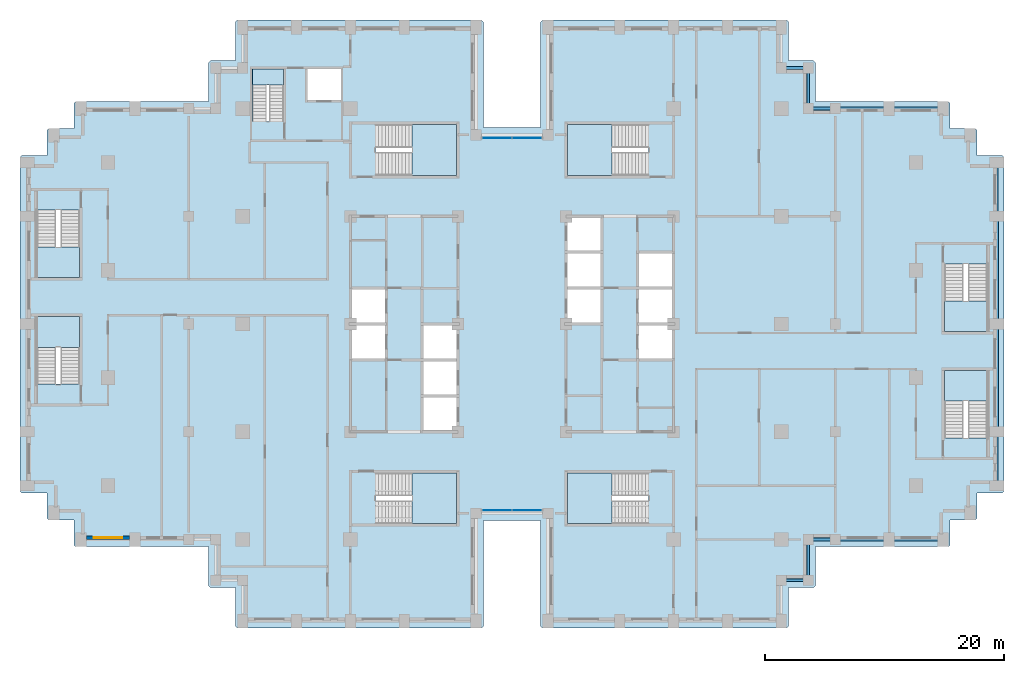
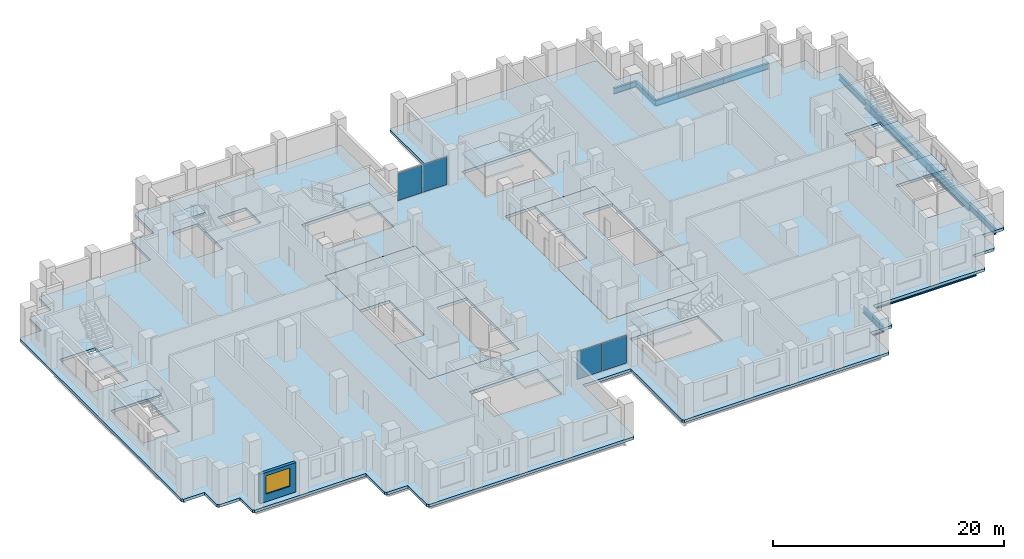
# One storey, part 5 of 16: 14 beams, 12 slabs, 4 plates, 1 wall, 1 window, 1 opening, 11 elements without a shape of their own.
"""IFC4 building model written with IfcOpenShell, lengths in metres."""

from ifc_helpers import new_model, si_unit, direction, frame, frame_2d, origin, origin_2d, place, context, subcontext, project, spatial, polyline, rectangle, i_section, outline, extrude, material, layer, layer_set, material_profile, profile_set, type_object, element, fill, aggregate, save


model = new_model("IFC4")

# Units and contexts
model_context = context("Model", 3, precision=1e-05, world=origin(), true_north=direction((0.0, 1.0)))
body_context = subcontext(model_context, "Body", "Model", "MODEL_VIEW")
ifc_project = project(units=[si_unit("LENGTHUNIT", "METRE"), si_unit("AREAUNIT", "SQUARE_METRE"), si_unit("VOLUMEUNIT", "CUBIC_METRE"), si_unit("PLANEANGLEUNIT", "RADIAN"), si_unit("MASSUNIT", "GRAM", prefix="KILO")], contexts=[model_context])

# Site, building, storey
site_placement = place(None, origin())
site = spatial("IfcSite", under=ifc_project, at=site_placement, CompositionType="ELEMENT")
building_placement = place(site_placement, origin())
building = spatial("IfcBuilding", under=site, at=building_placement, Name="Corbelhall Arena Tower", CompositionType="ELEMENT")
storey_placement = place(building_placement, frame((0.0, 0.0, 108.0)))
storey = spatial("IfcBuildingStorey", under=building, at=storey_placement, Name="L19", CompositionType="ELEMENT", Elevation=108.0)

# Beams
ifc_material_1 = material(Name="Steel ASTM A992 Gr50", Category="steel")
ifc_material_profile_1 = material_profile(ifc_material_1, i_section(OverallWidth=0.23046875, OverallDepth=0.6171875, WebThickness=0.01318359375, FlangeThickness=0.022216796875, at=origin_2d()))
ifc_profile_set_1 = profile_set([ifc_material_profile_1], Name="Steel ASTM A992 Gr50")
beam_type_1 = type_object("IfcBeamType", Name="ST-SPANDREL-W24x94", PredefinedType="SPANDREL", material=ifc_profile_set_1)
for number, where, z_axis, x_axis, name in (
    (1, (40.5, 13.5, -0.608642578125), (0.0, -1.0, 0.0), (1.0, 0.0, 0.0), "Beam SP 10"),
    (2, (40.5, -9.0, -0.608642578125), (0.0, -1.0, 0.0), (1.0, 0.0, 0.0), "Beam SP 11"),
    (3, (31.5, 18.0, -0.608642578125), (1.0, 0.0, 0.0), (0.0, 1.0, 0.0), "Beam SP 12"),
    (4, (31.5, -18.0, -0.608642578125), (-1.0, 0.0, 0.0), (0.0, -1.0, 0.0), "Beam SP 13"),
    (5, (36.0, -18.0, -0.608642578125), (-1.0, 0.0, 0.0), (0.0, -1.0, 0.0), "Beam SP 14"),
    (6, (27.0, 18.0, -0.608642578125), (1.0, 0.0, 0.0), (0.0, 1.0, 0.0), "Beam SP 15"),
):
    element("IfcBeam", number, at=place(storey_placement, frame(where, z_axis=z_axis, x_axis=x_axis)), inside=storey, type_object=beam_type_1, Name=name, PredefinedType="SPANDREL", context=body_context, shape_type="SweptSolid", body=[
        extrude(i_section(OverallWidth=0.23046875, OverallDepth=0.6171875, WebThickness=0.01318359375, FlangeThickness=0.022216796875, at=origin_2d()), origin(), (0.0, 0.0, 1.0), 4.5),
    ])
for number, where, z_axis, x_axis, name in (
    (7, (27.0, -18.0, -0.608642578125), (-1.0, 0.0, 0.0), (0.0, -1.0, 0.0), "Beam SP 16"),
    (8, (22.5, 21.39990234375, -0.608642578125), (1.0, 0.0, 0.0), (0.0, 1.0, 0.0), "Beam SP 43"),
):
    element("IfcBeam", number, at=place(storey_placement, frame(where, z_axis=z_axis, x_axis=x_axis)), inside=storey, type_object=beam_type_1, Name=name, PredefinedType="SPANDREL", context=body_context, shape_type="SweptSolid", body=[
        extrude(i_section(OverallWidth=0.23046875, OverallDepth=0.6171875, WebThickness=0.01318359375, FlangeThickness=0.022216796875, at=origin_2d()), origin(), (0.0, 0.0, 1.0), 2.25),
    ])
beam_1_placement = place(storey_placement, frame((24.75, 21.39990234375, -0.608642578125), z_axis=(0.0, -1.0, 0.0), x_axis=(1.0, 0.0, 0.0)))
element("IfcBeam", 9, at=beam_1_placement, inside=storey, type_object=beam_type_1, Name="Beam SP 44", PredefinedType="SPANDREL", context=body_context, shape_type="SweptSolid", body=[
    extrude(i_section(OverallWidth=0.23046875, OverallDepth=0.6171875, WebThickness=0.01318359375, FlangeThickness=0.022216796875, at=origin_2d()), origin(), (0.0, 0.0, 1.0), 3.39990234375),
])
for number, where, z_axis, x_axis, name in (
    (10, (24.75, 18.0, -0.608642578125), (1.0, 0.0, 0.0), (0.0, 1.0, 0.0), "Beam SP 45"),
    (11, (24.75, -21.39990234375, -0.608642578125), (-1.0, 0.0, 0.0), (0.0, -1.0, 0.0), "Beam SP 50"),
):
    element("IfcBeam", number, at=place(storey_placement, frame(where, z_axis=z_axis, x_axis=x_axis)), inside=storey, type_object=beam_type_1, Name=name, PredefinedType="SPANDREL", context=body_context, shape_type="SweptSolid", body=[
        extrude(i_section(OverallWidth=0.23046875, OverallDepth=0.6171875, WebThickness=0.01318359375, FlangeThickness=0.022216796875, at=origin_2d()), origin(), (0.0, 0.0, 1.0), 2.25),
    ])
beam_2_placement = place(storey_placement, frame((24.75, -18.0, -0.608642578125), z_axis=(0.0, -1.0, 0.0), x_axis=(1.0, 0.0, 0.0)))
element("IfcBeam", 12, at=beam_2_placement, inside=storey, type_object=beam_type_1, Name="Beam SP 51", PredefinedType="SPANDREL", context=body_context, shape_type="SweptSolid", body=[
    extrude(i_section(OverallWidth=0.23046875, OverallDepth=0.6171875, WebThickness=0.01318359375, FlangeThickness=0.022216796875, at=origin_2d()), origin(), (0.0, 0.0, 1.0), 3.39990234375),
])
ifc_material_profile_2 = material_profile(ifc_material_1, i_section(OverallWidth=0.2919921875, OverallDepth=0.845703125, WebThickness=0.015380859375, FlangeThickness=0.0244140625, at=origin_2d()))
ifc_profile_set_2 = profile_set([ifc_material_profile_2], Name="Steel ASTM A992 Gr50")
beam_type_2 = type_object("IfcBeamType", Name="ST-SPANDREL-W33x141", PredefinedType="SPANDREL", material=ifc_profile_set_2)
for number, where, z_axis, x_axis, name in (
    (13, (40.5, 0.0, -0.722900390625), (0.0, -1.0, 0.0), (1.0, 0.0, 0.0), "Beam SP 8"),
    (14, (40.5, 9.0, -0.722900390625), (0.0, -1.0, 0.0), (1.0, 0.0, 0.0), "Beam SP 9"),
):
    element("IfcBeam", number, at=place(storey_placement, frame(where, z_axis=z_axis, x_axis=x_axis)), inside=storey, type_object=beam_type_2, Name=name, PredefinedType="SPANDREL", context=body_context, shape_type="SweptSolid", body=[
        extrude(i_section(OverallWidth=0.2919921875, OverallDepth=0.845703125, WebThickness=0.015380859375, FlangeThickness=0.0244140625, at=origin_2d()), origin(), (0.0, 0.0, 1.0), 9.0),
    ])

# Curtain wall, plates
ifc_material_2 = material(Name="Aluminium black anodised", Category="aluminium")
ifc_layer_1 = layer(ifc_material_2, 0.199951171875)
ifc_layer_set_1 = layer_set([ifc_layer_1], Name="EV-CW1 Slot back wall")
curtain_wall_type = type_object("IfcCurtainWallType", Name="EV-CW1 Slot back wall", PredefinedType="NOTDEFINED", material=ifc_layer_set_1)
curtain_wall_1_placement = place(storey_placement, origin())
curtain_wall_1 = element("IfcCurtainWall", 15, at=curtain_wall_1_placement, inside=storey, type_object=curtain_wall_type, Name="Curtain wall CW1", PredefinedType="NOTDEFINED")
ifc_material_3 = material(Name="Glass dark tinted laminated", Category="glass")
ifc_layer_2 = layer(ifc_material_3, 0.028076171875)
ifc_layer_set_2 = layer_set([ifc_layer_2], Name="EV-CW1-PANEL")
plate_type = type_object("IfcPlateType", Name="EV-CW1-PANEL", PredefinedType="CURTAIN_PANEL", material=ifc_layer_set_2)
plate_1_placement = place(storey_placement, frame((-1.25634765625, -15.550048828125, 0.0751953125), z_axis=(0.0, 0.0, 1.0), x_axis=(1.0, 0.0, 0.0)))
plate_1 = element("IfcPlate", 16, at=plate_1_placement, type_object=plate_type, Name="CW1 panel 1.1", PredefinedType="CURTAIN_PANEL", context=body_context, shape_type="SweptSolid", body=[
    extrude(rectangle(XDim=2.4375, YDim=0.028076171875, at=origin_2d()), origin(), (0.0, 0.0, 1.0), 2.949951171875),
])
plate_2_placement = place(storey_placement, frame((1.25634765625, -15.550048828125, 0.0751953125), z_axis=(0.0, 0.0, 1.0), x_axis=(1.0, 0.0, 0.0)))
plate_2 = element("IfcPlate", 17, at=plate_2_placement, type_object=plate_type, Name="CW1 panel 2.1", PredefinedType="CURTAIN_PANEL", context=body_context, shape_type="SweptSolid", body=[
    extrude(rectangle(XDim=2.4375, YDim=0.028076171875, at=origin_2d()), origin(), (0.0, 0.0, 1.0), 2.949951171875),
])
aggregate(curtain_wall_1, [plate_1, plate_2])

curtain_wall_2_placement = place(storey_placement, origin())
curtain_wall_2 = element("IfcCurtainWall", 18, at=curtain_wall_2_placement, inside=storey, type_object=curtain_wall_type, Name="Curtain wall CW1", PredefinedType="NOTDEFINED")
plate_3_placement = place(storey_placement, frame((1.25634765625, 15.550048828125, 0.0751953125), z_axis=(0.0, 0.0, 1.0), x_axis=(-1.0, 0.0, 0.0)))
plate_3 = element("IfcPlate", 19, at=plate_3_placement, type_object=plate_type, Name="CW1 panel 1.1", PredefinedType="CURTAIN_PANEL", context=body_context, shape_type="SweptSolid", body=[
    extrude(rectangle(XDim=2.4375, YDim=0.028076171875, at=origin_2d()), origin(), (0.0, 0.0, 1.0), 2.949951171875),
])
plate_4_placement = place(storey_placement, frame((-1.25634765625, 15.550048828125, 0.0751953125), z_axis=(0.0, 0.0, 1.0), x_axis=(-1.0, 0.0, 0.0)))
plate_4 = element("IfcPlate", 20, at=plate_4_placement, type_object=plate_type, Name="CW1 panel 2.1", PredefinedType="CURTAIN_PANEL", context=body_context, shape_type="SweptSolid", body=[
    extrude(rectangle(XDim=2.4375, YDim=0.028076171875, at=origin_2d()), origin(), (0.0, 0.0, 1.0), 2.949951171875),
])
aggregate(curtain_wall_2, [plate_3, plate_4])

# Slabs
ifc_material_4 = material(Name="Concrete C40/50", Category="concrete")
ifc_layer_3 = layer(ifc_material_4, 0.300048828125)
ifc_layer_set_3 = layer_set([ifc_layer_3], Name="IN-SL-CORE")
slab_type_1 = type_object("IfcSlabType", Name="IN-SL-CORE", PredefinedType="FLOOR", material=ifc_layer_set_3)
slab_1_placement = place(storey_placement, frame((0.0, 0.0, -0.300048828125)))
element("IfcSlab", 21, at=slab_1_placement, inside=storey, type_object=slab_type_1, Name="Core floor W", PredefinedType="FLOOR", context=body_context, shape_type="SweptSolid", body=[
    extrude(outline(polyline([(-7.5, 0.0), (-4.5, 0.0), (-4.5, 9.0), (-13.5, 9.0), (-13.5, 3.0), (-10.5, 3.0), (-10.5, 0.0), (-10.5, -3.0), (-13.5, -3.0), (-13.5, -9.0), (-7.5, -9.0), (-7.5, -6.0), (-7.5, -3.0), (-7.5, 0.0)])), origin(), (0.0, 0.0, 1.0), 0.300048828125),
])
slab_2_placement = place(storey_placement, frame((0.0, 0.0, -0.300048828125)))
element("IfcSlab", 22, at=slab_2_placement, inside=storey, type_object=slab_type_1, Name="Core floor E", PredefinedType="FLOOR", context=body_context, shape_type="SweptSolid", body=[
    extrude(outline(polyline([(7.5, 0.0), (4.5, 0.0), (4.5, -9.0), (13.5, -9.0), (13.5, -3.0), (10.5, -3.0), (10.5, 0.0), (10.5, 3.0), (10.5, 6.0), (13.5, 6.0), (13.5, 9.0), (7.5, 9.0), (7.5, 6.0), (7.5, 3.0), (7.5, 0.0)])), origin(), (0.0, 0.0, 1.0), 0.300048828125),
])

# Stair, slab
stair_type = type_object("IfcStairType", Name="IN-ST-TOWER", PredefinedType="HALF_TURN_STAIR", material=ifc_material_4)
stair_1_placement = place(storey_placement, origin())
stair_1 = element("IfcStair", 23, at=stair_1_placement, inside=storey, type_object=stair_type, Name="L19 Exit stair ST1", PredefinedType="HALF_TURN_STAIR")
ifc_layer_4 = layer(ifc_material_4, 0.199951171875)
ifc_layer_set_4 = layer_set([ifc_layer_4], Name="IN-SL-LANDING")
slab_type_2 = type_object("IfcSlabType", Name="IN-SL-LANDING", PredefinedType="LANDING", material=ifc_layer_set_4)
slab_3_placement = place(storey_placement, frame((0.0, 0.0, 1.800048828125)))
slab_3 = element("IfcSlab", 24, at=slab_3_placement, type_object=slab_type_2, Name="ST1 landing 1", PredefinedType="LANDING", context=body_context, shape_type="SweptSolid", body=[
    extrude(outline(polyline([(-8.344970703125, 12.425048828125), (-4.625, 12.425048828125), (-4.625, 16.675048828125), (-8.344970703125, 16.675048828125), (-8.344970703125, 12.425048828125)])), origin(), (0.0, 0.0, 1.0), 0.199951171875),
])
aggregate(stair_1, [slab_3])

stair_2_placement = place(storey_placement, origin())
stair_2 = element("IfcStair", 25, at=stair_2_placement, inside=storey, type_object=stair_type, Name="L19 Exit stair ST2", PredefinedType="HALF_TURN_STAIR")
slab_4_placement = place(storey_placement, frame((0.0, 0.0, 1.800048828125)))
slab_4 = element("IfcSlab", 26, at=slab_4_placement, type_object=slab_type_2, Name="ST2 landing 1", PredefinedType="LANDING", context=body_context, shape_type="SweptSolid", body=[
    extrude(outline(polyline([(-8.344970703125, -16.675048828125), (-4.625, -16.675048828125), (-4.625, -12.425048828125), (-8.344970703125, -12.425048828125), (-8.344970703125, -16.675048828125)])), origin(), (0.0, 0.0, 1.0), 0.199951171875),
])
aggregate(stair_2, [slab_4])

stair_3_placement = place(storey_placement, origin())
stair_3 = element("IfcStair", 27, at=stair_3_placement, inside=storey, type_object=stair_type, Name="L19 Exit stair ST3", PredefinedType="HALF_TURN_STAIR")
slab_5_placement = place(storey_placement, frame((0.0, 0.0, 1.800048828125)))
slab_5 = element("IfcSlab", 28, at=slab_5_placement, type_object=slab_type_2, Name="ST3 landing 1", PredefinedType="LANDING", context=body_context, shape_type="SweptSolid", body=[
    extrude(outline(polyline([(8.344970703125, 16.675048828125), (4.625, 16.675048828125), (4.625, 12.425048828125), (8.344970703125, 12.425048828125), (8.344970703125, 16.675048828125)])), origin(), (0.0, 0.0, 1.0), 0.199951171875),
])
aggregate(stair_3, [slab_5])

stair_4_placement = place(storey_placement, origin())
stair_4 = element("IfcStair", 29, at=stair_4_placement, inside=storey, type_object=stair_type, Name="L19 Exit stair ST4", PredefinedType="HALF_TURN_STAIR")
slab_6_placement = place(storey_placement, frame((0.0, 0.0, 1.800048828125)))
slab_6 = element("IfcSlab", 30, at=slab_6_placement, type_object=slab_type_2, Name="ST4 landing 1", PredefinedType="LANDING", context=body_context, shape_type="SweptSolid", body=[
    extrude(outline(polyline([(8.344970703125, -12.425048828125), (4.625, -12.425048828125), (4.625, -16.675048828125), (8.344970703125, -16.675048828125), (8.344970703125, -12.425048828125)])), origin(), (0.0, 0.0, 1.0), 0.199951171875),
])
aggregate(stair_4, [slab_6])

stair_5_placement = place(storey_placement, origin())
stair_5 = element("IfcStair", 31, at=stair_5_placement, inside=storey, type_object=stair_type, Name="L19 Exit stair SC1", PredefinedType="HALF_TURN_STAIR")
slab_7_placement = place(storey_placement, frame((0.0, 0.0, 1.800048828125)))
slab_7 = element("IfcSlab", 32, at=slab_7_placement, type_object=slab_type_2, Name="SC1 landing 1", PredefinedType="LANDING", context=body_context, shape_type="SweptSolid", body=[
    extrude(outline(polyline([(-39.699951171875, 6.445068359375), (-39.699951171875, 3.875), (-36.125, 3.875), (-36.125, 6.445068359375), (-39.699951171875, 6.445068359375)])), origin(), (0.0, 0.0, 1.0), 0.199951171875),
])
aggregate(stair_5, [slab_7])

stair_6_placement = place(storey_placement, origin())
stair_6 = element("IfcStair", 33, at=stair_6_placement, inside=storey, type_object=stair_type, Name="L19 Exit stair SC2", PredefinedType="HALF_TURN_STAIR")
slab_8_placement = place(storey_placement, frame((0.0, 0.0, 1.800048828125)))
slab_8 = element("IfcSlab", 34, at=slab_8_placement, type_object=slab_type_2, Name="SC2 landing 1", PredefinedType="LANDING", context=body_context, shape_type="SweptSolid", body=[
    extrude(outline(polyline([(-36.125, -1.945068359375), (-36.125, 0.625), (-39.699951171875, 0.625), (-39.699951171875, -1.945068359375), (-36.125, -1.945068359375)])), origin(), (0.0, 0.0, 1.0), 0.199951171875),
])
aggregate(stair_6, [slab_8])

stair_7_placement = place(storey_placement, origin())
stair_7 = element("IfcStair", 35, at=stair_7_placement, inside=storey, type_object=stair_type, Name="L19 Exit stair SD1", PredefinedType="HALF_TURN_STAIR")
slab_9_placement = place(storey_placement, frame((0.0, 0.0, 1.800048828125)))
slab_9 = element("IfcSlab", 36, at=slab_9_placement, type_object=slab_type_2, Name="SD1 landing 1", PredefinedType="LANDING", context=body_context, shape_type="SweptSolid", body=[
    extrude(outline(polyline([(39.699951171875, -6.445068359375), (39.699951171875, -3.875), (36.125, -3.875), (36.125, -6.445068359375), (39.699951171875, -6.445068359375)])), origin(), (0.0, 0.0, 1.0), 0.199951171875),
])
aggregate(stair_7, [slab_9])

stair_8_placement = place(storey_placement, origin())
stair_8 = element("IfcStair", 37, at=stair_8_placement, inside=storey, type_object=stair_type, Name="L19 Exit stair SD2", PredefinedType="HALF_TURN_STAIR")
slab_10_placement = place(storey_placement, frame((0.0, 0.0, 1.800048828125)))
slab_10 = element("IfcSlab", 38, at=slab_10_placement, type_object=slab_type_2, Name="SD2 landing 1", PredefinedType="LANDING", context=body_context, shape_type="SweptSolid", body=[
    extrude(outline(polyline([(36.125, 1.945068359375), (36.125, -0.625), (39.699951171875, -0.625), (39.699951171875, 1.945068359375), (36.125, 1.945068359375)])), origin(), (0.0, 0.0, 1.0), 0.199951171875),
])
aggregate(stair_8, [slab_10])

stair_9_placement = place(storey_placement, origin())
stair_9 = element("IfcStair", 39, at=stair_9_placement, inside=storey, type_object=stair_type, Name="L19 Exit stair ST5", PredefinedType="HALF_TURN_STAIR")
slab_11_placement = place(storey_placement, frame((0.0, 0.0, 1.800048828125)))
slab_11 = element("IfcSlab", 40, at=slab_11_placement, type_object=slab_type_2, Name="ST5 landing 1", PredefinedType="LANDING", context=body_context, shape_type="SweptSolid", body=[
    extrude(outline(polyline([(-19.094970703125, 19.97998046875), (-19.094970703125, 21.300048828125), (-21.695068359375, 21.300048828125), (-21.695068359375, 19.97998046875), (-19.094970703125, 19.97998046875)])), origin(), (0.0, 0.0, 1.0), 0.199951171875),
])
aggregate(stair_9, [slab_11])

# Slab
ifc_layer_5 = layer(ifc_material_4, 0.300048828125)
ifc_layer_set_5 = layer_set([ifc_layer_5], Name="ST-SLAB-FLOOR-300")
slab_type_3 = type_object("IfcSlabType", Name="ST-SLAB-FLOOR-300", PredefinedType="FLOOR", material=ifc_layer_set_5)
slab_12_placement = place(storey_placement, frame((0.0, 0.0, -0.300048828125)))
element("IfcSlab", 41, at=slab_12_placement, inside=storey, type_object=slab_type_3, Name="Floor slab L19 1", PredefinedType="FLOOR", context=body_context, shape_type="SweptSolid", body=[
    extrude(outline(polyline([(25.35009765625, 18.60009765625), (25.35009765625, 21.85009765625), (25.199951171875, 22.0), (23.10009765625, 22.0), (23.10009765625, 25.25), (22.949951171875, 25.39990234375), (2.550048828125, 25.39990234375), (2.39990234375, 25.25), (2.39990234375, 16.39990234375), (-2.39990234375, 16.39990234375), (-2.39990234375, 25.25), (-2.550048828125, 25.39990234375), (-22.949951171875, 25.39990234375), (-23.10009765625, 25.25), (-23.10009765625, 22.0), (-25.199951171875, 22.0), (-25.35009765625, 21.85009765625), (-25.35009765625, 18.60009765625), (-36.449951171875, 18.60009765625), (-36.60009765625, 18.449951171875), (-36.60009765625, 16.35009765625), (-38.699951171875, 16.35009765625), (-38.85009765625, 16.199951171875), (-38.85009765625, 14.10009765625), (-40.949951171875, 14.10009765625), (-41.10009765625, 13.949951171875), (-41.10009765625, -13.949951171875), (-40.949951171875, -14.10009765625), (-38.85009765625, -14.10009765625), (-38.85009765625, -16.199951171875), (-38.699951171875, -16.35009765625), (-36.60009765625, -16.35009765625), (-36.60009765625, -18.449951171875), (-36.449951171875, -18.60009765625), (-25.35009765625, -18.60009765625), (-25.35009765625, -21.85009765625), (-25.199951171875, -22.0), (-23.10009765625, -22.0), (-23.10009765625, -25.25), (-22.949951171875, -25.39990234375), (-2.550048828125, -25.39990234375), (-2.39990234375, -25.25), (-2.39990234375, -16.39990234375), (2.39990234375, -16.39990234375), (2.39990234375, -25.25), (2.550048828125, -25.39990234375), (22.949951171875, -25.39990234375), (23.10009765625, -25.25), (23.10009765625, -22.0), (25.199951171875, -22.0), (25.35009765625, -21.85009765625), (25.35009765625, -18.60009765625), (36.449951171875, -18.60009765625), (36.60009765625, -18.449951171875), (36.60009765625, -16.35009765625), (38.699951171875, -16.35009765625), (38.85009765625, -16.199951171875), (38.85009765625, -14.10009765625), (40.949951171875, -14.10009765625), (41.10009765625, -13.949951171875), (41.10009765625, 13.949951171875), (40.949951171875, 14.10009765625), (38.85009765625, 14.10009765625), (38.85009765625, 16.199951171875), (38.699951171875, 16.35009765625), (36.60009765625, 16.35009765625), (36.60009765625, 18.449951171875), (36.449951171875, 18.60009765625), (25.35009765625, 18.60009765625)]), holes=[polyline([(-13.5, 9.0), (-13.5, -9.0), (-4.5, -9.0), (-4.5, 9.0), (-13.5, 9.0)]), polyline([(4.5, 9.0), (4.5, -9.0), (13.5, -9.0), (13.5, 9.0), (4.5, 9.0)]), polyline([(-4.625, 16.675048828125), (-11.422119140625, 16.675048828125), (-11.422119140625, 12.425048828125), (-4.625, 12.425048828125), (-4.625, 16.675048828125)]), polyline([(-4.625, -16.675048828125), (-4.625, -12.425048828125), (-11.422119140625, -12.425048828125), (-11.422119140625, -16.675048828125), (-4.625, -16.675048828125)]), polyline([(11.422119140625, 16.675048828125), (4.625, 16.675048828125), (4.625, 12.425048828125), (11.422119140625, 12.425048828125), (11.422119140625, 16.675048828125)]), polyline([(11.422119140625, -16.675048828125), (11.422119140625, -12.425048828125), (4.625, -12.425048828125), (4.625, -16.675048828125), (11.422119140625, -16.675048828125)]), polyline([(-36.125, 3.875), (-36.125, 9.52197265625), (-39.699951171875, 9.52197265625), (-39.699951171875, 3.875), (-36.125, 3.875)]), polyline([(-36.125, 0.625), (-39.699951171875, 0.625), (-39.699951171875, -5.02197265625), (-36.125, -5.02197265625), (-36.125, 0.625)]), polyline([(39.699951171875, -9.52197265625), (39.699951171875, -3.875), (36.125, -3.875), (36.125, -9.52197265625), (39.699951171875, -9.52197265625)]), polyline([(39.699951171875, 5.02197265625), (36.125, 5.02197265625), (36.125, -0.625), (39.699951171875, -0.625), (39.699951171875, 5.02197265625)]), polyline([(-21.695068359375, 21.300048828125), (-21.695068359375, 16.903076171875), (-19.094970703125, 16.903076171875), (-19.094970703125, 21.300048828125), (-21.695068359375, 21.300048828125)]), polyline([(-14.300048828125, 21.300048828125), (-17.10009765625, 21.300048828125), (-17.10009765625, 18.699951171875), (-14.300048828125, 18.699951171875), (-14.300048828125, 21.300048828125)])]), origin(), (0.0, 0.0, 1.0), 0.300048828125),
])

# Wall, opening, window
ifc_material_5 = material(Name="Precast concrete C40/50 with granite facing", Category="masonry")
ifc_layer_6 = layer(ifc_material_5, 0.300048828125)
ifc_layer_set_6 = layer_set([ifc_layer_6], Name="EV-IW1 Infill panel 300")
wall_type = type_object("IfcWallType", Name="EV-IW1 Infill panel 300", PredefinedType="SOLIDWALL", material=ifc_layer_set_6)
wall_placement = place(storey_placement, frame((-35.550048828125, -17.85009765625, 0.0), z_axis=(0.0, 0.0, 1.0), x_axis=(1.0, 0.0, 0.0)))
wall = element("IfcWall", 42, at=wall_placement, inside=storey, type_object=wall_type, Name="Infill panel IW1", PredefinedType="SOLIDWALL", context=body_context, shape_type="SweptSolid", body=[
    extrude(rectangle(XDim=3.60009765625, YDim=0.300048828125, at=frame_2d((1.800048828125, 0.0))), origin(), (0.0, 0.0, 1.0), 3.10009765625),
])
opening_placement = place(wall_placement, frame((0.60009765625, 0.0, 0.800048828125)))
opening = element("IfcOpeningElement", 43, at=opening_placement, cuts=wall, Name="Opening WN1", PredefinedType="OPENING", context=body_context, shape_type="SweptSolid", body=[
    extrude(rectangle(XDim=2.39990234375, YDim=1.949951171875, at=frame_2d((1.199951171875, 0.97509765625))), frame((0.0, 0.14990234375, 0.0), z_axis=(0.0, -1.0, 0.0), x_axis=(1.0, 0.0, 0.0)), (0.0, 0.0, 1.0), 0.300048828125),
])
window_type = type_object("IfcWindowType", Name="EV-WN1 Office window", PartitioningType="SINGLE_PANEL", PredefinedType="WINDOW", material=ifc_material_2)
window_placement = place(opening_placement, origin())
window = element("IfcWindow", 44, at=window_placement, inside=storey, type_object=window_type, Name="Window WN1", OverallHeight=1.949951171875, OverallWidth=2.39990234375, PartitioningType="SINGLE_PANEL", PredefinedType="WINDOW", context=body_context, shape_type="SweptSolid", body=[
    extrude(rectangle(XDim=2.39990234375, YDim=1.949951171875, at=frame_2d((1.199951171875, 0.97509765625))), frame((0.0, 0.030029296875, 0.0), z_axis=(0.0, -1.0, 0.0), x_axis=(1.0, 0.0, 0.0)), (0.0, 0.0, 1.0), 0.06005859375),
])
fill(opening, window)

save(model, "model.ifc")
